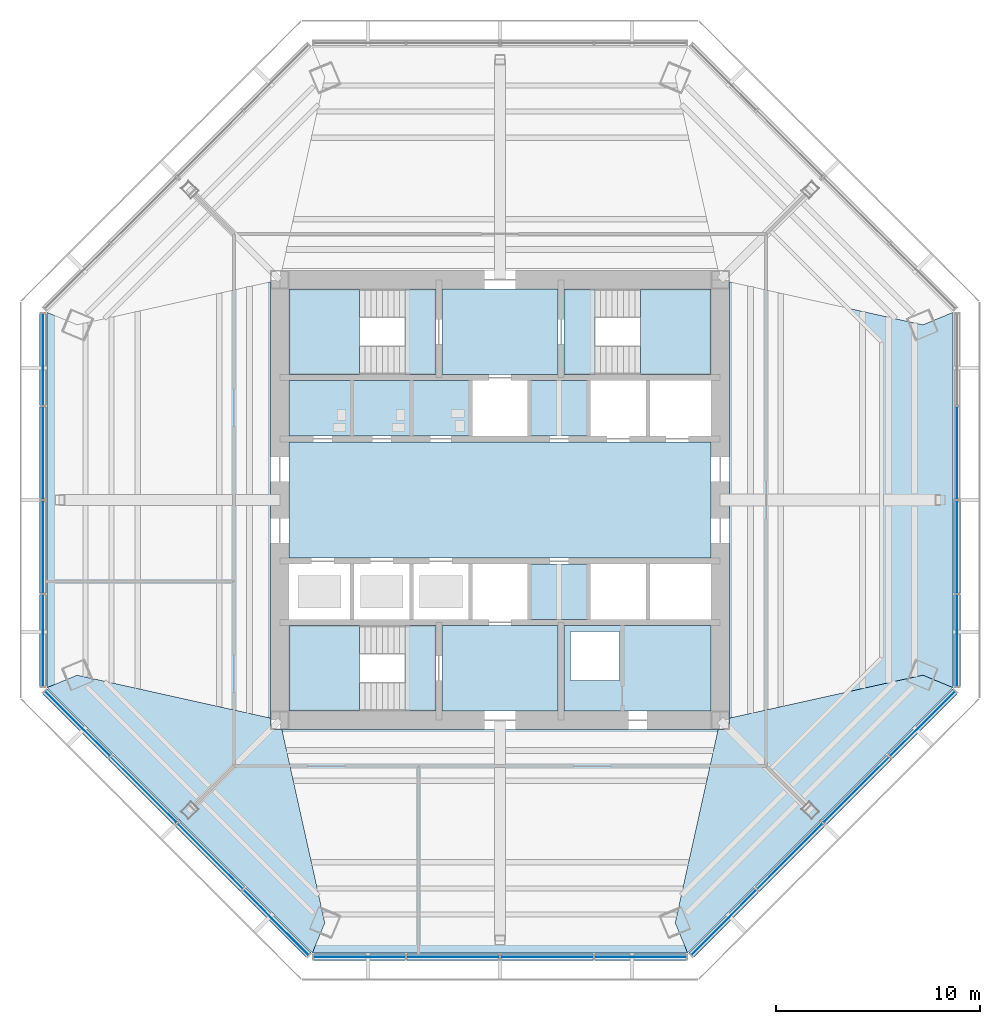
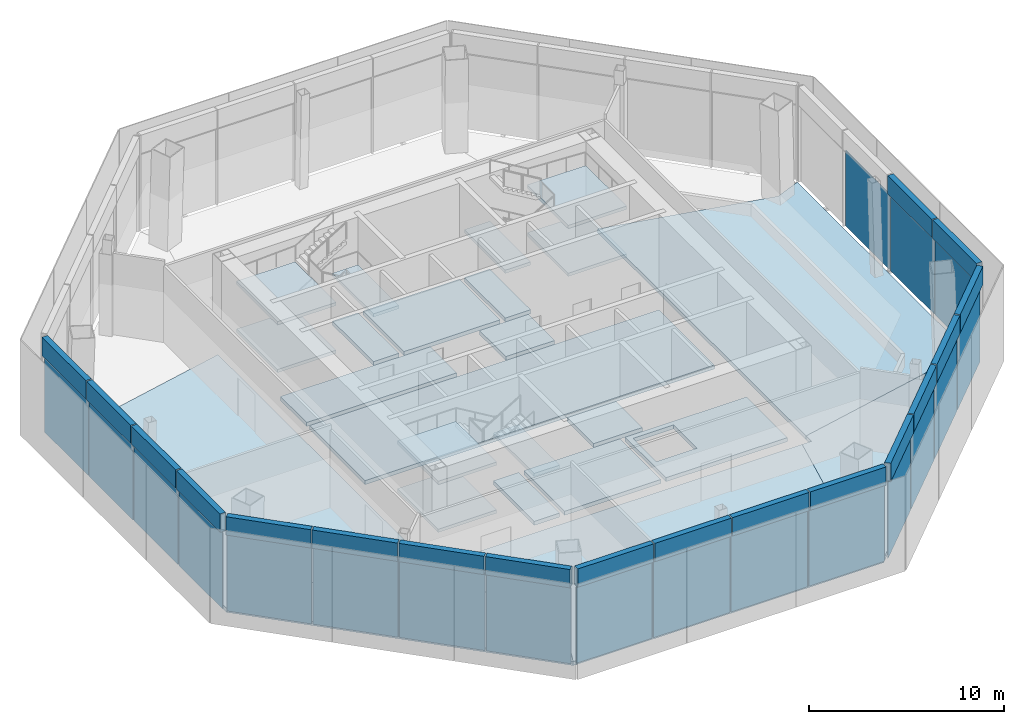
# One storey, part 5 of 13: 37 plates, 24 slabs, 8 elements without a shape of their own.
"""IFC4 building model written with IfcOpenShell, lengths in metres."""

import ifcopenshell
import ifcopenshell.guid

model = None  # the IFC model being written
_history = None  # IfcOwnerHistory: only IFC2X3 demands one
_inside = {}  # id of a spatial element -> (the spatial element, [elements in it])
_under = {}  # id of a project, library or spatial element -> (it, [spatial elements below it])
_declared = {}  # id of a project -> (the project, [libraries it declares])
_typed = {}  # id of a type object -> (the type object, [elements of that type])
_made_of = {}  # id of a material, layer set ... -> (it, [elements and type objects made of it])


def new_model(schema):
    """Start an empty IFC model of exactly this schema.

    Asked for "IFC4X3", IfcOpenShell would pick the latest addendum, in which some entities
    have other attributes; the version numbers below select the first issue.
    IFC2X3 requires an IfcOwnerHistory on every rooted entity: one is made here for all.
    """
    global model, _history
    if schema == "IFC4X3":
        model = ifcopenshell.file(schema_version=(4, 3, 0, 0))
    else:
        model = ifcopenshell.file(schema=schema)
    _inside.clear()
    _under.clear()
    _declared.clear()
    _typed.clear()
    _made_of.clear()
    _history = None
    if model.schema == "IFC2X3":
        org = make("IfcOrganization", Name="unknown")
        user = make(
            "IfcPersonAndOrganization",
            ThePerson=make("IfcPerson", FamilyName="unknown"),
            TheOrganization=org,
        )
        app = make(
            "IfcApplication",
            ApplicationDeveloper=org,
            Version="unknown",
            ApplicationFullName="unknown",
            ApplicationIdentifier="unknown",
        )
        _history = make(
            "IfcOwnerHistory",
            OwningUser=user,
            OwningApplication=app,
            ChangeAction="ADDED",
            CreationDate=0,
        )
    return model


def make(cls, **values):
    """One entity of the class cls with the attributes given. An attribute that is None is left unset."""
    return model.create_entity(
        cls, **{name: value for name, value in values.items() if value is not None}
    )


def rooted(cls, **values):
    """An entity with a GlobalId (a new one), such as an element, a storey or a relation."""
    return make(cls, GlobalId=ifcopenshell.guid.new(), OwnerHistory=_history, **values)


def si_unit(unit_type, name, prefix=None):
    """IfcSIUnit, for example si_unit("LENGTHUNIT", "METRE", prefix="MILLI")."""
    return make("IfcSIUnit", UnitType=unit_type, Prefix=prefix, Name=name)


def assignment(units):
    """IfcUnitAssignment: the units of a project."""
    return None if units is None else make("IfcUnitAssignment", Units=units)


def point(xyz):
    """IfcCartesianPoint."""
    return None if xyz is None else make("IfcCartesianPoint", Coordinates=xyz)


def direction(xyz):
    """IfcDirection."""
    return None if xyz is None else make("IfcDirection", DirectionRatios=xyz)


def frame(location, z_axis=None, x_axis=None):
    """IfcAxis2Placement3D, a coordinate frame: its origin and axes. An axis left out is left unset."""
    return make(
        "IfcAxis2Placement3D",
        Location=point(location),
        Axis=direction(z_axis),
        RefDirection=direction(x_axis),
    )


def frame_2d(location, x_axis=None):
    """IfcAxis2Placement2D, a coordinate frame in the plane: its origin and x axis."""
    return make(
        "IfcAxis2Placement2D", Location=point(location), RefDirection=direction(x_axis)
    )


def origin():
    """The frame at (0, 0, 0) with its axes left unset."""
    return frame((0.0, 0.0, 0.0))


def origin_2d():
    """The frame at (0, 0) in the plane with its x axis left unset."""
    return frame_2d((0.0, 0.0))


def place(relative_to, where):
    """IfcLocalPlacement: puts the frame where relative to a parent placement (None: the world)."""
    return make(
        "IfcLocalPlacement", PlacementRelTo=relative_to, RelativePlacement=where
    )


def context(
    kind, dimensions, precision=None, world=None, true_north=None, identifier=None
):
    """IfcGeometricRepresentationContext, for example the 3D "Model" context."""
    return make(
        "IfcGeometricRepresentationContext",
        ContextIdentifier=identifier,
        ContextType=kind,
        CoordinateSpaceDimension=dimensions,
        Precision=precision,
        WorldCoordinateSystem=world,
        TrueNorth=true_north,
    )


def subcontext(parent, identifier, kind, view, scale=None):
    """IfcGeometricRepresentationSubContext, for example "Body" below "Model"."""
    return make(
        "IfcGeometricRepresentationSubContext",
        ContextIdentifier=identifier,
        ContextType=kind,
        ParentContext=parent,
        TargetScale=scale,
        TargetView=view,
    )


def project(units=None, contexts=None):
    """IfcProject with its units and contexts."""
    return rooted(
        "IfcProject",
        Name="project",
        RepresentationContexts=contexts,
        UnitsInContext=assignment(units),
    )


def spatial(cls, under=None, at=None, **own):
    """A site, building, storey or space (cls), placed at a placement, below another one or the project."""
    s = rooted(cls, ObjectPlacement=at, **own)
    if under is not None:
        _under.setdefault(under.id(), (under, []))[1].append(s)
    return s


def polyline(points):
    """IfcPolyline through the points."""
    return make("IfcPolyline", Points=[point(p) for p in points])


def profile(cls, at=None, kind="AREA", **sizes):
    """A parametric profile (cls). Its sizes go by their IFC names, for example OverallWidth=200.0."""
    return make(cls, ProfileType=kind, Position=at, **sizes)


def rectangle(**sizes):
    """IfcRectangleProfileDef."""
    return profile("IfcRectangleProfileDef", **sizes)


def outline(outer, holes=None, kind="AREA"):
    """IfcArbitraryClosedProfileDef: a profile drawn as a closed curve; with holes, ...WithVoids."""
    if holes is None:
        return make("IfcArbitraryClosedProfileDef", ProfileType=kind, OuterCurve=outer)
    return make(
        "IfcArbitraryProfileDefWithVoids",
        ProfileType=kind,
        OuterCurve=outer,
        InnerCurves=holes,
    )


def extrude(swept, where, along, depth):
    """IfcExtrudedAreaSolid: the profile swept, set in the frame where, extruded along a direction by depth."""
    return make(
        "IfcExtrudedAreaSolid",
        SweptArea=swept,
        Position=where,
        ExtrudedDirection=direction(along),
        Depth=depth,
    )


def shape(context_of_items, identifier, shape_type, items):
    """IfcShapeRepresentation: the items that make up one representation, for example the "Body"."""
    return make(
        "IfcShapeRepresentation",
        ContextOfItems=context_of_items,
        RepresentationIdentifier=identifier,
        RepresentationType=shape_type,
        Items=items,
    )


def source(mapping_origin, context_of_items, identifier, shape_type, items):
    """IfcRepresentationMap: a shape defined once, which mapped items show again and again."""
    return make(
        "IfcRepresentationMap",
        MappingOrigin=mapping_origin,
        MappedRepresentation=shape(context_of_items, identifier, shape_type, items),
    )


def transform(
    local_origin,
    x_axis=None,
    y_axis=None,
    z_axis=None,
    scale=None,
    scale2=None,
    scale3=None,
    uniform=True,
):
    """IfcCartesianTransformationOperator3D, or its non-uniform kind. x_axis, y_axis, z_axis: its Axis1, 2, 3."""
    if uniform:
        return make(
            "IfcCartesianTransformationOperator3D",
            Axis1=direction(x_axis),
            Axis2=direction(y_axis),
            LocalOrigin=point(local_origin),
            Scale=scale,
            Axis3=direction(z_axis),
        )
    return make(
        "IfcCartesianTransformationOperator3DnonUniform",
        Axis1=direction(x_axis),
        Axis2=direction(y_axis),
        LocalOrigin=point(local_origin),
        Scale=scale,
        Axis3=direction(z_axis),
        Scale2=scale2,
        Scale3=scale3,
    )


def mapped(mapping_source, mapping_target):
    """IfcMappedItem: shows the shape of a source again, moved by a transform."""
    return make(
        "IfcMappedItem", MappingSource=mapping_source, MappingTarget=mapping_target
    )


def material(Name=None, Category=None):
    """IfcMaterial."""
    return make("IfcMaterial", Name=Name, Category=Category)


def layer(
    of_material, thickness, ventilated=None, Name=None, Category=None, Priority=None
):
    """IfcMaterialLayer: one layer of a wall or slab, of a material (None: an air gap)."""
    return make(
        "IfcMaterialLayer",
        Material=of_material,
        LayerThickness=thickness,
        IsVentilated=ventilated,
        Name=Name,
        Category=Category,
        Priority=Priority,
    )


def layer_set(layers, Name=None):
    """IfcMaterialLayerSet."""
    return make("IfcMaterialLayerSet", MaterialLayers=layers, LayerSetName=Name)


def made_of(thing, what):
    """Note that an element or type object is made of a material, layer set ...; save() writes the relation."""
    if what is not None:
        _made_of.setdefault(what.id(), (what, []))[1].append(thing)
    return thing


def type_object(cls, material=None, **own):
    """A type object (cls), such as IfcWallType, which elements share."""
    return made_of(rooted(cls, **own), material)


def type_shapes(of_type, sources):
    """Give a type object the sources (RepresentationMaps) that its elements show as mapped items."""
    of_type.RepresentationMaps = sources


def element(
    cls,
    number,
    at=None,
    inside=None,
    cuts=None,
    type_object=None,
    material=None,
    context=None,
    identifier="Body",
    shape_type=None,
    held_by="IfcProductDefinitionShape",
    body=None,
    shapes=None,
    **own,
):
    """One element of the class cls, such as IfcWall. Its Tag is "e" and its number.

    at: its placement. inside: the storey or other place that contains it. cuts: it is an
    opening in that element (IfcRelVoidsElement). A single representation is given by context,
    identifier, shape_type and body (its items); several are given by shapes. held_by: the class
    of the entity that holds the representations. save() writes the other relations.
    """
    e = rooted(cls, Tag="e%d" % number, ObjectPlacement=at, **own)
    if body is not None:
        shapes = [shape(context, identifier, shape_type, body)]
    if shapes is not None:
        e.Representation = make(held_by, Representations=shapes)
    if inside is not None:
        _inside.setdefault(inside.id(), (inside, []))[1].append(e)
    if cuts is not None:
        rooted(
            "IfcRelVoidsElement", RelatingBuildingElement=cuts, RelatedOpeningElement=e
        )
    if type_object is not None:
        _typed.setdefault(type_object.id(), (type_object, []))[1].append(e)
    return made_of(e, material)


def aggregate(whole, parts):
    """IfcRelAggregates: a whole, such as a stair, and the parts it consists of."""
    return rooted("IfcRelAggregates", RelatingObject=whole, RelatedObjects=parts)


def save(model, path):
    """Write the relations noted so far, then the file.

    IfcRelAggregates (storeys below a building ...), IfcRelContainedInSpatialStructure (elements
    in a storey), IfcRelDefinesByType, IfcRelAssociatesMaterial and IfcRelDeclares: one each for
    every whole, place, type object, material and project.
    """
    for whole, parts in _under.values():
        aggregate(whole, parts)
    for where, things in _inside.values():
        rooted(
            "IfcRelContainedInSpatialStructure",
            RelatedElements=things,
            RelatingStructure=where,
        )
    for kind, things in _typed.values():
        rooted("IfcRelDefinesByType", RelatedObjects=things, RelatingType=kind)
    for what, things in _made_of.values():
        rooted("IfcRelAssociatesMaterial", RelatedObjects=things, RelatingMaterial=what)
    for by, libraries in _declared.values():
        rooted("IfcRelDeclares", RelatingContext=by, RelatedDefinitions=libraries)
    model.write(path)


model = new_model("IFC4")

# Units and contexts
model_context = context("Model", 3, precision=1e-05, world=origin(), true_north=direction((0.0, 1.0)))
body_context = subcontext(model_context, "Body", "Model", "MODEL_VIEW")
ifc_project = project(units=[si_unit("LENGTHUNIT", "METRE"), si_unit("AREAUNIT", "SQUARE_METRE"), si_unit("VOLUMEUNIT", "CUBIC_METRE"), si_unit("PLANEANGLEUNIT", "RADIAN"), si_unit("MASSUNIT", "GRAM", prefix="KILO")], contexts=[model_context])

# Site, building, storey
site_placement = place(None, origin())
site = spatial("IfcSite", under=ifc_project, at=site_placement, CompositionType="ELEMENT")
building_placement = place(site_placement, origin())
building = spatial("IfcBuilding", under=site, at=building_placement, Name="Mashrafa Tower", CompositionType="ELEMENT")
storey_placement = place(building_placement, frame((0.0, 0.0, 198.0)))
storey = spatial("IfcBuildingStorey", under=building, at=storey_placement, Name="L45", CompositionType="ELEMENT", Elevation=198.0)

# Slabs
ifc_material_1 = material(Name="Concrete C35/45", Category="concrete")
ifc_layer_1 = layer(ifc_material_1, 0.25)
ifc_layer_set_1 = layer_set([ifc_layer_1], Name="Floor slab 250")
slab_type_1 = type_object("IfcSlabType", Name="Floor slab 250", PredefinedType="FLOOR", material=ifc_layer_set_1)
slab_1_placement = place(storey_placement, frame((0.0, 0.0, -0.25)))
element("IfcSlab", 1, at=slab_1_placement, inside=storey, type_object=slab_type_1, Name="Floor slab L45 east bay", PredefinedType="FLOOR", context=body_context, shape_type="SweptSolid", body=[
    extrude(outline(polyline([(22.213623046875, 9.201171875), (22.213623046875, -9.201171875), (22.213623046875, -9.201171875), (20.742431640625, -8.591796875), (11.25, -10.699951171875), (11.25, 10.699951171875), (20.742431640625, 8.591796875), (22.213623046875, 9.201171875), (22.213623046875, 9.201171875)])), origin(), (0.0, 0.0, 1.0), 0.25),
])
slab_2_placement = place(storey_placement, frame((0.0, 0.0, -0.25)))
element("IfcSlab", 2, at=slab_2_placement, inside=storey, type_object=slab_type_1, Name="Floor slab L45 west bay", PredefinedType="FLOOR", context=body_context, shape_type="SweptSolid", body=[
    extrude(outline(polyline([(-22.213623046875, -9.201171875), (-22.213623046875, 9.201171875), (-22.213623046875, 9.201171875), (-20.742431640625, 8.591796875), (-11.25, 10.699951171875), (-11.25, -10.699951171875), (-20.742431640625, -8.591796875), (-22.213623046875, -9.201171875), (-22.213623046875, -9.201171875)])), origin(), (0.0, 0.0, 1.0), 0.25),
])
slab_3_placement = place(storey_placement, frame((0.0, 0.0, -0.25)))
element("IfcSlab", 3, at=slab_3_placement, inside=storey, type_object=slab_type_1, Name="Floor slab L45 south-west bay", PredefinedType="FLOOR", context=body_context, shape_type="SweptSolid", body=[
    extrude(outline(polyline([(-22.213623046875, -9.201171875), (-20.742431640625, -8.591796875), (-11.25, -10.699951171875), (-11.25, -11.25), (-10.699951171875, -11.25), (-8.591796875, -20.742431640625), (-9.201171875, -22.213623046875), (-22.213623046875, -9.201171875)])), origin(), (0.0, 0.0, 1.0), 0.25),
])
slab_4_placement = place(storey_placement, frame((0.0, 0.0, -0.25)))
element("IfcSlab", 4, at=slab_4_placement, inside=storey, type_object=slab_type_1, Name="Floor slab L45 south bay", PredefinedType="FLOOR", context=body_context, shape_type="SweptSolid", body=[
    extrude(outline(polyline([(-9.201171875, -22.213623046875), (-9.201171875, -22.213623046875), (-8.591796875, -20.742431640625), (-10.699951171875, -11.25), (10.699951171875, -11.25), (8.591796875, -20.742431640625), (9.201171875, -22.213623046875), (9.201171875, -22.213623046875), (-9.201171875, -22.213623046875)])), origin(), (0.0, 0.0, 1.0), 0.25),
])
slab_5_placement = place(storey_placement, frame((0.0, 0.0, -0.25)))
element("IfcSlab", 5, at=slab_5_placement, inside=storey, type_object=slab_type_1, Name="Floor slab L45 south-east bay", PredefinedType="FLOOR", context=body_context, shape_type="SweptSolid", body=[
    extrude(outline(polyline([(9.201171875, -22.213623046875), (8.591796875, -20.742431640625), (10.699951171875, -11.25), (11.25, -11.25), (11.25, -10.699951171875), (20.742431640625, -8.591796875), (22.213623046875, -9.201171875), (9.201171875, -22.213623046875)])), origin(), (0.0, 0.0, 1.0), 0.25),
])
slab_6_placement = place(storey_placement, frame((0.0, 0.0, -0.25)))
element("IfcSlab", 6, at=slab_6_placement, inside=storey, type_object=slab_type_1, Name="Core floor lift hall L45", PredefinedType="FLOOR", context=body_context, shape_type="SweptSolid", body=[
    extrude(outline(polyline([(-10.35009765625, 2.85009765625), (10.35009765625, 2.85009765625), (10.35009765625, -2.85009765625), (-10.35009765625, -2.85009765625), (-10.35009765625, 2.85009765625)])), origin(), (0.0, 0.0, 1.0), 0.25),
])
slab_7_placement = place(storey_placement, frame((0.0, 0.0, -0.25)))
element("IfcSlab", 7, at=slab_7_placement, inside=storey, type_object=slab_type_1, Name="Core floor riser and electrical band L45", PredefinedType="FLOOR", context=body_context, shape_type="SweptSolid", body=[
    extrude(outline(polyline([(10.35009765625, -6.14990234375), (10.35009765625, -10.35009765625), (3.14990234375, -10.35009765625), (3.14990234375, -6.14990234375), (10.35009765625, -6.14990234375)]), holes=[polyline([(3.449951171875, -8.85009765625), (5.85009765625, -8.85009765625), (5.85009765625, -6.449951171875), (3.449951171875, -6.449951171875), (3.449951171875, -8.85009765625)])]), origin(), (0.0, 0.0, 1.0), 0.25),
])
slab_8_placement = place(storey_placement, frame((0.0, 0.0, -0.25)))
element("IfcSlab", 8, at=slab_8_placement, inside=storey, type_object=slab_type_1, Name="Core floor lift cell L45", PredefinedType="FLOOR", context=body_context, shape_type="SweptSolid", body=[
    extrude(outline(polyline([(-1.449951171875, 3.14990234375), (-10.35009765625, 3.14990234375), (-10.35009765625, 5.85009765625), (-1.449951171875, 5.85009765625), (-1.449951171875, 3.14990234375)])), origin(), (0.0, 0.0, 1.0), 0.25),
])
slab_9_placement = place(storey_placement, frame((0.0, 0.0, -0.25)))
element("IfcSlab", 9, at=slab_9_placement, inside=storey, type_object=slab_type_1, Name="Core floor fire-fighting lobby north L45", PredefinedType="FLOOR", context=body_context, shape_type="SweptSolid", body=[
    extrude(outline(polyline([(-2.85009765625, 10.35009765625), (2.85009765625, 10.35009765625), (2.85009765625, 6.14990234375), (-2.85009765625, 6.14990234375), (-2.85009765625, 10.35009765625)])), origin(), (0.0, 0.0, 1.0), 0.25),
])
slab_10_placement = place(storey_placement, frame((0.0, 0.0, -0.25)))
element("IfcSlab", 10, at=slab_10_placement, inside=storey, type_object=slab_type_1, Name="Core floor fire-fighting lobby south L45", PredefinedType="FLOOR", context=body_context, shape_type="SweptSolid", body=[
    extrude(outline(polyline([(2.85009765625, -6.14990234375), (2.85009765625, -10.35009765625), (-2.85009765625, -10.35009765625), (-2.85009765625, -6.14990234375), (2.85009765625, -6.14990234375)])), origin(), (0.0, 0.0, 1.0), 0.25),
])
slab_11_placement = place(storey_placement, frame((0.0, 0.0, -0.25)))
element("IfcSlab", 11, at=slab_11_placement, inside=storey, type_object=slab_type_1, Name="Core floor lift cell L45", PredefinedType="FLOOR", context=body_context, shape_type="SweptSolid", body=[
    extrude(outline(polyline([(4.35009765625, 5.85009765625), (4.35009765625, 3.14990234375), (1.449951171875, 3.14990234375), (1.449951171875, 5.85009765625), (4.35009765625, 5.85009765625)])), origin(), (0.0, 0.0, 1.0), 0.25),
])
slab_12_placement = place(storey_placement, frame((0.0, 0.0, -0.25)))
element("IfcSlab", 12, at=slab_12_placement, inside=storey, type_object=slab_type_1, Name="Core floor lift cell L45", PredefinedType="FLOOR", context=body_context, shape_type="SweptSolid", body=[
    extrude(outline(polyline([(4.35009765625, -3.14990234375), (4.35009765625, -5.85009765625), (1.449951171875, -5.85009765625), (1.449951171875, -3.14990234375), (4.35009765625, -3.14990234375)])), origin(), (0.0, 0.0, 1.0), 0.25),
])

# Stair, slabs
ifc_material_2 = material(Name="Exit stair 1400")
stair_type = type_object("IfcStairType", Name="Exit stair 1400", PredefinedType="HALF_TURN_STAIR", material=ifc_material_2)
stair_1_placement = place(storey_placement, origin())
stair_1 = element("IfcStair", 13, at=stair_1_placement, inside=storey, type_object=stair_type, Name="Stair S1 L45", PredefinedType="HALF_TURN_STAIR")
ifc_material_3 = material(Name="Concrete C32/40", Category="concrete")
ifc_layer_2 = layer(ifc_material_3, 0.199951171875)
ifc_layer_set_2 = layer_set([ifc_layer_2], Name="Stair landing 200")
slab_type_2 = type_object("IfcSlabType", Name="Stair landing 200", PredefinedType="LANDING", material=ifc_layer_set_2)
slab_13_placement = place(storey_placement, frame((0.0, 0.0, 1.300048828125)))
slab_13 = element("IfcSlab", 14, at=slab_13_placement, type_object=slab_type_2, Name="S1 landing 2", PredefinedType="LANDING", context=body_context, shape_type="SweptSolid", body=[
    extrude(outline(polyline([(-10.35009765625, 6.14990234375), (-6.8798828125, 6.14990234375), (-6.8798828125, 10.35009765625), (-10.35009765625, 10.35009765625), (-10.35009765625, 6.14990234375)])), origin(), (0.0, 0.0, 1.0), 0.199951171875),
])
slab_14_placement = place(storey_placement, frame((0.0, 0.0, 2.800048828125)))
slab_14 = element("IfcSlab", 15, at=slab_14_placement, type_object=slab_type_2, Name="S1 landing 3", PredefinedType="LANDING", context=body_context, shape_type="SweptSolid", body=[
    extrude(outline(polyline([(-4.659912109375, 6.14990234375), (-3.14990234375, 6.14990234375), (-3.14990234375, 10.35009765625), (-4.659912109375, 10.35009765625), (-4.659912109375, 6.14990234375)])), origin(), (0.0, 0.0, 1.0), 0.199951171875),
])
slab_15_placement = place(storey_placement, frame((0.0, 0.0, 4.300048828125)))
slab_15 = element("IfcSlab", 16, at=slab_15_placement, type_object=slab_type_2, Name="S1 landing 4", PredefinedType="LANDING", context=body_context, shape_type="SweptSolid", body=[
    extrude(outline(polyline([(-10.35009765625, 6.14990234375), (-6.8798828125, 6.14990234375), (-6.8798828125, 10.35009765625), (-10.35009765625, 10.35009765625), (-10.35009765625, 6.14990234375)])), origin(), (0.0, 0.0, 1.0), 0.199951171875),
])

stair_2_placement = place(storey_placement, origin())
stair_2 = element("IfcStair", 17, at=stair_2_placement, inside=storey, type_object=stair_type, Name="Stair S2 L45", PredefinedType="HALF_TURN_STAIR")
slab_16_placement = place(storey_placement, frame((0.0, 0.0, 1.300048828125)))
slab_16 = element("IfcSlab", 18, at=slab_16_placement, type_object=slab_type_2, Name="S2 landing 2", PredefinedType="LANDING", context=body_context, shape_type="SweptSolid", body=[
    extrude(outline(polyline([(6.8798828125, 6.14990234375), (10.35009765625, 6.14990234375), (10.35009765625, 10.35009765625), (6.8798828125, 10.35009765625), (6.8798828125, 6.14990234375)])), origin(), (0.0, 0.0, 1.0), 0.199951171875),
])
slab_17_placement = place(storey_placement, frame((0.0, 0.0, 2.800048828125)))
slab_17 = element("IfcSlab", 19, at=slab_17_placement, type_object=slab_type_2, Name="S2 landing 3", PredefinedType="LANDING", context=body_context, shape_type="SweptSolid", body=[
    extrude(outline(polyline([(3.14990234375, 6.14990234375), (4.659912109375, 6.14990234375), (4.659912109375, 10.35009765625), (3.14990234375, 10.35009765625), (3.14990234375, 6.14990234375)])), origin(), (0.0, 0.0, 1.0), 0.199951171875),
])
slab_18_placement = place(storey_placement, frame((0.0, 0.0, 4.300048828125)))
slab_18 = element("IfcSlab", 20, at=slab_18_placement, type_object=slab_type_2, Name="S2 landing 4", PredefinedType="LANDING", context=body_context, shape_type="SweptSolid", body=[
    extrude(outline(polyline([(6.8798828125, 6.14990234375), (10.35009765625, 6.14990234375), (10.35009765625, 10.35009765625), (6.8798828125, 10.35009765625), (6.8798828125, 6.14990234375)])), origin(), (0.0, 0.0, 1.0), 0.199951171875),
])

stair_3_placement = place(storey_placement, origin())
stair_3 = element("IfcStair", 21, at=stair_3_placement, inside=storey, type_object=stair_type, Name="Stair S3 L45", PredefinedType="HALF_TURN_STAIR")
slab_19_placement = place(storey_placement, frame((0.0, 0.0, 1.300048828125)))
slab_19 = element("IfcSlab", 22, at=slab_19_placement, type_object=slab_type_2, Name="S3 landing 2", PredefinedType="LANDING", context=body_context, shape_type="SweptSolid", body=[
    extrude(outline(polyline([(-10.35009765625, -10.35009765625), (-6.8798828125, -10.35009765625), (-6.8798828125, -6.14990234375), (-10.35009765625, -6.14990234375), (-10.35009765625, -10.35009765625)])), origin(), (0.0, 0.0, 1.0), 0.199951171875),
])
slab_20_placement = place(storey_placement, frame((0.0, 0.0, 2.800048828125)))
slab_20 = element("IfcSlab", 23, at=slab_20_placement, type_object=slab_type_2, Name="S3 landing 3", PredefinedType="LANDING", context=body_context, shape_type="SweptSolid", body=[
    extrude(outline(polyline([(-4.659912109375, -10.35009765625), (-3.14990234375, -10.35009765625), (-3.14990234375, -6.14990234375), (-4.659912109375, -6.14990234375), (-4.659912109375, -10.35009765625)])), origin(), (0.0, 0.0, 1.0), 0.199951171875),
])
slab_21_placement = place(storey_placement, frame((0.0, 0.0, 4.300048828125)))
slab_21 = element("IfcSlab", 24, at=slab_21_placement, type_object=slab_type_2, Name="S3 landing 4", PredefinedType="LANDING", context=body_context, shape_type="SweptSolid", body=[
    extrude(outline(polyline([(-10.35009765625, -10.35009765625), (-6.8798828125, -10.35009765625), (-6.8798828125, -6.14990234375), (-10.35009765625, -6.14990234375), (-10.35009765625, -10.35009765625)])), origin(), (0.0, 0.0, 1.0), 0.199951171875),
])

# Slab
ifc_material_4 = material(Name="Concrete C32/40", Category="concrete")
ifc_layer_3 = layer(ifc_material_4, 0.25)
ifc_layer_set_3 = layer_set([ifc_layer_3], Name="Stair landing 250")
slab_type_3 = type_object("IfcSlabType", Name="Stair landing 250", PredefinedType="LANDING", material=ifc_layer_set_3)
slab_22_placement = place(storey_placement, frame((0.0, 0.0, -0.25)))
slab_22 = element("IfcSlab", 25, at=slab_22_placement, type_object=slab_type_3, Name="S1 landing 1", PredefinedType="LANDING", context=body_context, shape_type="SweptSolid", body=[
    extrude(outline(polyline([(-4.659912109375, 6.14990234375), (-3.14990234375, 6.14990234375), (-3.14990234375, 10.35009765625), (-4.659912109375, 10.35009765625), (-4.659912109375, 6.14990234375)])), origin(), (0.0, 0.0, 1.0), 0.25),
])

aggregate(stair_1, [slab_22, slab_13, slab_14, slab_15])

slab_23_placement = place(storey_placement, frame((0.0, 0.0, -0.25)))
slab_23 = element("IfcSlab", 26, at=slab_23_placement, type_object=slab_type_3, Name="S2 landing 1", PredefinedType="LANDING", context=body_context, shape_type="SweptSolid", body=[
    extrude(outline(polyline([(3.14990234375, 6.14990234375), (4.659912109375, 6.14990234375), (4.659912109375, 10.35009765625), (3.14990234375, 10.35009765625), (3.14990234375, 6.14990234375)])), origin(), (0.0, 0.0, 1.0), 0.25),
])

aggregate(stair_2, [slab_23, slab_16, slab_17, slab_18])

slab_24_placement = place(storey_placement, frame((0.0, 0.0, -0.25)))
slab_24 = element("IfcSlab", 27, at=slab_24_placement, type_object=slab_type_3, Name="S3 landing 1", PredefinedType="LANDING", context=body_context, shape_type="SweptSolid", body=[
    extrude(outline(polyline([(-4.659912109375, -10.35009765625), (-3.14990234375, -10.35009765625), (-3.14990234375, -6.14990234375), (-4.659912109375, -6.14990234375), (-4.659912109375, -10.35009765625)])), origin(), (0.0, 0.0, 1.0), 0.25),
])

aggregate(stair_3, [slab_24, slab_19, slab_20, slab_21])

# Curtain wall, plate
ifc_material_5 = material(Name="Unitised aluminium curtain wall", Category="aluminium")
curtain_wall_type = type_object("IfcCurtainWallType", Name="Sky garden curtain wall CW-E 300 deep", PredefinedType="NOTDEFINED", material=ifc_material_5)
curtain_wall_1_placement = place(storey_placement, origin())
curtain_wall_1 = element("IfcCurtainWall", 28, at=curtain_wall_1_placement, inside=storey, type_object=curtain_wall_type, Name="Sky garden curtain wall L45 east", PredefinedType="NOTDEFINED")
ifc_material_6 = material(Name="Laminated insulated double glazing", Category="glass")
ifc_layer_4 = layer(ifc_material_6, 0.031982421875)
ifc_layer_set_4 = layer_set([ifc_layer_4], Name="Vision panel CW-E 32")
plate_type_1 = type_object("IfcPlateType", Name="Vision panel CW-E 32", PredefinedType="CURTAIN_PANEL", material=ifc_layer_set_4)
shared_shape_1 = source(origin(), body_context, "Body", "SweptSolid", [
    extrude(rectangle(XDim=4.493408203125, YDim=0.031982421875, at=origin_2d()), origin(), (0.0, 0.0, 1.0), 4.75),
])
plate_1_placement = place(storey_placement, frame((22.41357421875, -6.89013671875, 0.0), z_axis=(0.0, 0.0, 1.0), x_axis=(0.0, 1.0, 0.0)))
plate_1 = element("IfcPlate", 29, at=plate_1_placement, type_object=plate_type_1, Name="CW-E vision panel 1", PredefinedType="CURTAIN_PANEL", context=body_context, shape_type="MappedRepresentation", body=[
    mapped(shared_shape_1, transform((0.0, 0.0, 0.0))),
])

# Curtain wall, plates
curtain_wall_2_placement = place(storey_placement, origin())
curtain_wall_2 = element("IfcCurtainWall", 30, at=curtain_wall_2_placement, inside=storey, type_object=curtain_wall_type, Name="Sky garden curtain wall L45 west", PredefinedType="NOTDEFINED")
plate_2_placement = place(storey_placement, frame((-22.41357421875, 6.89013671875, 0.0), z_axis=(0.0, 0.0, 1.0), x_axis=(0.0, -1.0, 0.0)))
plate_2 = element("IfcPlate", 31, at=plate_2_placement, type_object=plate_type_1, Name="CW-E vision panel 1", PredefinedType="CURTAIN_PANEL", context=body_context, shape_type="MappedRepresentation", body=[
    mapped(shared_shape_1, transform((0.0, 0.0, 0.0))),
])
plate_3_placement = place(storey_placement, frame((-22.41357421875, -6.89013671875, 0.0), z_axis=(0.0, 0.0, 1.0), x_axis=(0.0, -1.0, 0.0)))
plate_3 = element("IfcPlate", 32, at=plate_3_placement, type_object=plate_type_1, Name="CW-E vision panel 4", PredefinedType="CURTAIN_PANEL", context=body_context, shape_type="MappedRepresentation", body=[
    mapped(shared_shape_1, transform((0.0, 0.0, 0.0))),
])

curtain_wall_3_placement = place(storey_placement, origin())
curtain_wall_3 = element("IfcCurtainWall", 33, at=curtain_wall_3_placement, inside=storey, type_object=curtain_wall_type, Name="Sky garden curtain wall L45 south-west", PredefinedType="NOTDEFINED")
plate_4_placement = place(storey_placement, frame((-20.720947265625, -10.976806640625, 0.0), z_axis=(0.0, 0.0, 1.0), x_axis=(0.707106781187, -0.707106781187, 0.0)))
plate_4 = element("IfcPlate", 34, at=plate_4_placement, type_object=plate_type_1, Name="CW-E vision panel 1", PredefinedType="CURTAIN_PANEL", context=body_context, shape_type="MappedRepresentation", body=[
    mapped(shared_shape_1, transform((0.0, 0.0, 0.0))),
])
plate_5_placement = place(storey_placement, frame((-10.976806640625, -20.720947265625, 0.0), z_axis=(0.0, 0.0, 1.0), x_axis=(0.707106781187, -0.707106781187, 0.0)))
plate_5 = element("IfcPlate", 35, at=plate_5_placement, type_object=plate_type_1, Name="CW-E vision panel 4", PredefinedType="CURTAIN_PANEL", context=body_context, shape_type="MappedRepresentation", body=[
    mapped(shared_shape_1, transform((0.0, 0.0, 0.0))),
])

curtain_wall_4_placement = place(storey_placement, origin())
curtain_wall_4 = element("IfcCurtainWall", 36, at=curtain_wall_4_placement, inside=storey, type_object=curtain_wall_type, Name="Sky garden curtain wall L45 south", PredefinedType="NOTDEFINED")
plate_6_placement = place(storey_placement, frame((-6.89013671875, -22.41357421875, 0.0), z_axis=(0.0, 0.0, 1.0), x_axis=(1.0, 0.0, 0.0)))
plate_6 = element("IfcPlate", 37, at=plate_6_placement, type_object=plate_type_1, Name="CW-E vision panel 1", PredefinedType="CURTAIN_PANEL", context=body_context, shape_type="MappedRepresentation", body=[
    mapped(shared_shape_1, transform((0.0, 0.0, 0.0))),
])
plate_7_placement = place(storey_placement, frame((6.89013671875, -22.41357421875, 0.0), z_axis=(0.0, 0.0, 1.0), x_axis=(1.0, 0.0, 0.0)))
plate_7 = element("IfcPlate", 38, at=plate_7_placement, type_object=plate_type_1, Name="CW-E vision panel 4", PredefinedType="CURTAIN_PANEL", context=body_context, shape_type="MappedRepresentation", body=[
    mapped(shared_shape_1, transform((0.0, 0.0, 0.0))),
])

curtain_wall_5_placement = place(storey_placement, origin())
curtain_wall_5 = element("IfcCurtainWall", 39, at=curtain_wall_5_placement, inside=storey, type_object=curtain_wall_type, Name="Sky garden curtain wall L45 south-east", PredefinedType="NOTDEFINED")
plate_8_placement = place(storey_placement, frame((10.976806640625, -20.720947265625, 0.0), z_axis=(0.0, 0.0, 1.0), x_axis=(0.707106781187, 0.707106781187, 0.0)))
plate_8 = element("IfcPlate", 40, at=plate_8_placement, type_object=plate_type_1, Name="CW-E vision panel 1", PredefinedType="CURTAIN_PANEL", context=body_context, shape_type="MappedRepresentation", body=[
    mapped(shared_shape_1, transform((0.0, 0.0, 0.0))),
])
plate_9_placement = place(storey_placement, frame((20.720947265625, -10.976806640625, 0.0), z_axis=(0.0, 0.0, 1.0), x_axis=(0.707106781187, 0.707106781187, 0.0)))
plate_9 = element("IfcPlate", 41, at=plate_9_placement, type_object=plate_type_1, Name="CW-E vision panel 4", PredefinedType="CURTAIN_PANEL", context=body_context, shape_type="MappedRepresentation", body=[
    mapped(shared_shape_1, transform((0.0, 0.0, 0.0))),
])

# Plate
ifc_material_7 = material(Name="Insulated aluminium spandrel panel", Category="aluminium")
ifc_layer_5 = layer(ifc_material_7, 0.330078125)
ifc_layer_set_5 = layer_set([ifc_layer_5], Name="Spandrel panel CW-E 330")
plate_type_2 = type_object("IfcPlateType", Name="Spandrel panel CW-E 330", PredefinedType="CURTAIN_PANEL", material=ifc_layer_set_5)
shared_shape_2 = source(origin(), body_context, "Body", "SweptSolid", [
    extrude(rectangle(XDim=4.493408203125, YDim=0.330078125, at=origin_2d()), origin(), (0.0, 0.0, 1.0), 1.14990234375),
])
plate_10_placement = place(storey_placement, frame((22.41357421875, -6.89013671875, 4.85009765625), z_axis=(0.0, 0.0, 1.0), x_axis=(0.0, 1.0, 0.0)))
plate_10 = element("IfcPlate", 42, at=plate_10_placement, type_object=plate_type_2, Name="CW-E spandrel panel 1", PredefinedType="CURTAIN_PANEL", context=body_context, shape_type="MappedRepresentation", body=[
    mapped(shared_shape_2, transform((0.0, 0.0, 0.0))),
])

plate_11_placement = place(storey_placement, frame((-22.41357421875, 6.89013671875, 4.85009765625), z_axis=(0.0, 0.0, 1.0), x_axis=(0.0, -1.0, 0.0)))
plate_11 = element("IfcPlate", 43, at=plate_11_placement, type_object=plate_type_2, Name="CW-E spandrel panel 1", PredefinedType="CURTAIN_PANEL", context=body_context, shape_type="MappedRepresentation", body=[
    mapped(shared_shape_2, transform((0.0, 0.0, 0.0))),
])

plate_12_placement = place(storey_placement, frame((-22.41357421875, -6.89013671875, 4.85009765625), z_axis=(0.0, 0.0, 1.0), x_axis=(0.0, -1.0, 0.0)))
plate_12 = element("IfcPlate", 44, at=plate_12_placement, type_object=plate_type_2, Name="CW-E spandrel panel 4", PredefinedType="CURTAIN_PANEL", context=body_context, shape_type="MappedRepresentation", body=[
    mapped(shared_shape_2, transform((0.0, 0.0, 0.0))),
])

plate_13_placement = place(storey_placement, frame((-20.720947265625, -10.976806640625, 4.85009765625), z_axis=(0.0, 0.0, 1.0), x_axis=(0.707106781187, -0.707106781187, 0.0)))
plate_13 = element("IfcPlate", 45, at=plate_13_placement, type_object=plate_type_2, Name="CW-E spandrel panel 1", PredefinedType="CURTAIN_PANEL", context=body_context, shape_type="MappedRepresentation", body=[
    mapped(shared_shape_2, transform((0.0, 0.0, 0.0))),
])

plate_14_placement = place(storey_placement, frame((-10.976806640625, -20.720947265625, 4.85009765625), z_axis=(0.0, 0.0, 1.0), x_axis=(0.707106781187, -0.707106781187, 0.0)))
plate_14 = element("IfcPlate", 46, at=plate_14_placement, type_object=plate_type_2, Name="CW-E spandrel panel 4", PredefinedType="CURTAIN_PANEL", context=body_context, shape_type="MappedRepresentation", body=[
    mapped(shared_shape_2, transform((0.0, 0.0, 0.0))),
])

plate_15_placement = place(storey_placement, frame((-6.89013671875, -22.41357421875, 4.85009765625), z_axis=(0.0, 0.0, 1.0), x_axis=(1.0, 0.0, 0.0)))
plate_15 = element("IfcPlate", 47, at=plate_15_placement, type_object=plate_type_2, Name="CW-E spandrel panel 1", PredefinedType="CURTAIN_PANEL", context=body_context, shape_type="MappedRepresentation", body=[
    mapped(shared_shape_2, transform((0.0, 0.0, 0.0))),
])

plate_16_placement = place(storey_placement, frame((6.89013671875, -22.41357421875, 4.85009765625), z_axis=(0.0, 0.0, 1.0), x_axis=(1.0, 0.0, 0.0)))
plate_16 = element("IfcPlate", 48, at=plate_16_placement, type_object=plate_type_2, Name="CW-E spandrel panel 4", PredefinedType="CURTAIN_PANEL", context=body_context, shape_type="MappedRepresentation", body=[
    mapped(shared_shape_2, transform((0.0, 0.0, 0.0))),
])

plate_17_placement = place(storey_placement, frame((10.976806640625, -20.720947265625, 4.85009765625), z_axis=(0.0, 0.0, 1.0), x_axis=(0.707106781187, 0.707106781187, 0.0)))
plate_17 = element("IfcPlate", 49, at=plate_17_placement, type_object=plate_type_2, Name="CW-E spandrel panel 1", PredefinedType="CURTAIN_PANEL", context=body_context, shape_type="MappedRepresentation", body=[
    mapped(shared_shape_2, transform((0.0, 0.0, 0.0))),
])

plate_18_placement = place(storey_placement, frame((20.720947265625, -10.976806640625, 4.85009765625), z_axis=(0.0, 0.0, 1.0), x_axis=(0.707106781187, 0.707106781187, 0.0)))
plate_18 = element("IfcPlate", 50, at=plate_18_placement, type_object=plate_type_2, Name="CW-E spandrel panel 4", PredefinedType="CURTAIN_PANEL", context=body_context, shape_type="MappedRepresentation", body=[
    mapped(shared_shape_2, transform((0.0, 0.0, 0.0))),
])

shared_shape_3 = source(origin(), body_context, "Body", "SweptSolid", [
    extrude(rectangle(XDim=4.531005859375, YDim=0.031982421875, at=origin_2d()), origin(), (0.0, 0.0, 1.0), 4.75),
])
type_shapes(plate_type_1, [shared_shape_1, shared_shape_3])
plate_19_placement = place(storey_placement, frame((22.41357421875, -2.302978515625, 0.0), z_axis=(0.0, 0.0, 1.0), x_axis=(0.0, 1.0, 0.0)))
plate_19 = element("IfcPlate", 51, at=plate_19_placement, type_object=plate_type_1, Name="CW-E vision panel 2", PredefinedType="CURTAIN_PANEL", context=body_context, shape_type="MappedRepresentation", body=[
    mapped(shared_shape_3, transform((0.0, 0.0, 0.0))),
])

plate_20_placement = place(storey_placement, frame((22.41357421875, 2.302978515625, 0.0), z_axis=(0.0, 0.0, 1.0), x_axis=(0.0, 1.0, 0.0)))
plate_20 = element("IfcPlate", 52, at=plate_20_placement, type_object=plate_type_1, Name="CW-E vision panel 3", PredefinedType="CURTAIN_PANEL", context=body_context, shape_type="MappedRepresentation", body=[
    mapped(shared_shape_3, transform((0.0, 0.0, 0.0))),
])

plate_21_placement = place(storey_placement, frame((-22.41357421875, 2.302978515625, 0.0), z_axis=(0.0, 0.0, 1.0), x_axis=(0.0, -1.0, 0.0)))
plate_21 = element("IfcPlate", 53, at=plate_21_placement, type_object=plate_type_1, Name="CW-E vision panel 2", PredefinedType="CURTAIN_PANEL", context=body_context, shape_type="MappedRepresentation", body=[
    mapped(shared_shape_3, transform((0.0, 0.0, 0.0))),
])

plate_22_placement = place(storey_placement, frame((-22.41357421875, -2.302978515625, 0.0), z_axis=(0.0, 0.0, 1.0), x_axis=(0.0, -1.0, 0.0)))
plate_22 = element("IfcPlate", 54, at=plate_22_placement, type_object=plate_type_1, Name="CW-E vision panel 3", PredefinedType="CURTAIN_PANEL", context=body_context, shape_type="MappedRepresentation", body=[
    mapped(shared_shape_3, transform((0.0, 0.0, 0.0))),
])

plate_23_placement = place(storey_placement, frame((-17.477294921875, -14.220458984375, 0.0), z_axis=(0.0, 0.0, 1.0), x_axis=(0.707106781187, -0.707106781187, 0.0)))
plate_23 = element("IfcPlate", 55, at=plate_23_placement, type_object=plate_type_1, Name="CW-E vision panel 2", PredefinedType="CURTAIN_PANEL", context=body_context, shape_type="MappedRepresentation", body=[
    mapped(shared_shape_3, transform((0.0, 0.0, 0.0))),
])

plate_24_placement = place(storey_placement, frame((-14.220458984375, -17.477294921875, 0.0), z_axis=(0.0, 0.0, 1.0), x_axis=(0.707106781187, -0.707106781187, 0.0)))
plate_24 = element("IfcPlate", 56, at=plate_24_placement, type_object=plate_type_1, Name="CW-E vision panel 3", PredefinedType="CURTAIN_PANEL", context=body_context, shape_type="MappedRepresentation", body=[
    mapped(shared_shape_3, transform((0.0, 0.0, 0.0))),
])

plate_25_placement = place(storey_placement, frame((-2.302978515625, -22.41357421875, 0.0), z_axis=(0.0, 0.0, 1.0), x_axis=(1.0, 0.0, 0.0)))
plate_25 = element("IfcPlate", 57, at=plate_25_placement, type_object=plate_type_1, Name="CW-E vision panel 2", PredefinedType="CURTAIN_PANEL", context=body_context, shape_type="MappedRepresentation", body=[
    mapped(shared_shape_3, transform((0.0, 0.0, 0.0))),
])

plate_26_placement = place(storey_placement, frame((2.302978515625, -22.41357421875, 0.0), z_axis=(0.0, 0.0, 1.0), x_axis=(1.0, 0.0, 0.0)))
plate_26 = element("IfcPlate", 58, at=plate_26_placement, type_object=plate_type_1, Name="CW-E vision panel 3", PredefinedType="CURTAIN_PANEL", context=body_context, shape_type="MappedRepresentation", body=[
    mapped(shared_shape_3, transform((0.0, 0.0, 0.0))),
])

plate_27_placement = place(storey_placement, frame((14.220458984375, -17.477294921875, 0.0), z_axis=(0.0, 0.0, 1.0), x_axis=(0.707106781187, 0.707106781187, 0.0)))
plate_27 = element("IfcPlate", 59, at=plate_27_placement, type_object=plate_type_1, Name="CW-E vision panel 2", PredefinedType="CURTAIN_PANEL", context=body_context, shape_type="MappedRepresentation", body=[
    mapped(shared_shape_3, transform((0.0, 0.0, 0.0))),
])

plate_28_placement = place(storey_placement, frame((17.477294921875, -14.220458984375, 0.0), z_axis=(0.0, 0.0, 1.0), x_axis=(0.707106781187, 0.707106781187, 0.0)))
plate_28 = element("IfcPlate", 60, at=plate_28_placement, type_object=plate_type_1, Name="CW-E vision panel 3", PredefinedType="CURTAIN_PANEL", context=body_context, shape_type="MappedRepresentation", body=[
    mapped(shared_shape_3, transform((0.0, 0.0, 0.0))),
])

shared_shape_4 = source(origin(), body_context, "Body", "SweptSolid", [
    extrude(rectangle(XDim=4.531005859375, YDim=0.330078125, at=origin_2d()), origin(), (0.0, 0.0, 1.0), 1.14990234375),
])
type_shapes(plate_type_2, [shared_shape_2, shared_shape_4])
plate_29_placement = place(storey_placement, frame((22.41357421875, -2.302978515625, 4.85009765625), z_axis=(0.0, 0.0, 1.0), x_axis=(0.0, 1.0, 0.0)))
plate_29 = element("IfcPlate", 61, at=plate_29_placement, type_object=plate_type_2, Name="CW-E spandrel panel 2", PredefinedType="CURTAIN_PANEL", context=body_context, shape_type="MappedRepresentation", body=[
    mapped(shared_shape_4, transform((0.0, 0.0, 0.0))),
])

aggregate(curtain_wall_1, [plate_1, plate_10, plate_19, plate_29, plate_20])

plate_30_placement = place(storey_placement, frame((-22.41357421875, 2.302978515625, 4.85009765625), z_axis=(0.0, 0.0, 1.0), x_axis=(0.0, -1.0, 0.0)))
plate_30 = element("IfcPlate", 62, at=plate_30_placement, type_object=plate_type_2, Name="CW-E spandrel panel 2", PredefinedType="CURTAIN_PANEL", context=body_context, shape_type="MappedRepresentation", body=[
    mapped(shared_shape_4, transform((0.0, 0.0, 0.0))),
])

plate_31_placement = place(storey_placement, frame((-22.41357421875, -2.302978515625, 4.85009765625), z_axis=(0.0, 0.0, 1.0), x_axis=(0.0, -1.0, 0.0)))
plate_31 = element("IfcPlate", 63, at=plate_31_placement, type_object=plate_type_2, Name="CW-E spandrel panel 3", PredefinedType="CURTAIN_PANEL", context=body_context, shape_type="MappedRepresentation", body=[
    mapped(shared_shape_4, transform((0.0, 0.0, 0.0))),
])

aggregate(curtain_wall_2, [plate_2, plate_11, plate_21, plate_30, plate_22, plate_31, plate_3, plate_12])

plate_32_placement = place(storey_placement, frame((-17.477294921875, -14.220458984375, 4.85009765625), z_axis=(0.0, 0.0, 1.0), x_axis=(0.707106781187, -0.707106781187, 0.0)))
plate_32 = element("IfcPlate", 64, at=plate_32_placement, type_object=plate_type_2, Name="CW-E spandrel panel 2", PredefinedType="CURTAIN_PANEL", context=body_context, shape_type="MappedRepresentation", body=[
    mapped(shared_shape_4, transform((0.0, 0.0, 0.0))),
])

plate_33_placement = place(storey_placement, frame((-14.220458984375, -17.477294921875, 4.85009765625), z_axis=(0.0, 0.0, 1.0), x_axis=(0.707106781187, -0.707106781187, 0.0)))
plate_33 = element("IfcPlate", 65, at=plate_33_placement, type_object=plate_type_2, Name="CW-E spandrel panel 3", PredefinedType="CURTAIN_PANEL", context=body_context, shape_type="MappedRepresentation", body=[
    mapped(shared_shape_4, transform((0.0, 0.0, 0.0))),
])

aggregate(curtain_wall_3, [plate_4, plate_13, plate_23, plate_32, plate_24, plate_33, plate_5, plate_14])

plate_34_placement = place(storey_placement, frame((-2.302978515625, -22.41357421875, 4.85009765625), z_axis=(0.0, 0.0, 1.0), x_axis=(1.0, 0.0, 0.0)))
plate_34 = element("IfcPlate", 66, at=plate_34_placement, type_object=plate_type_2, Name="CW-E spandrel panel 2", PredefinedType="CURTAIN_PANEL", context=body_context, shape_type="MappedRepresentation", body=[
    mapped(shared_shape_4, transform((0.0, 0.0, 0.0))),
])

plate_35_placement = place(storey_placement, frame((2.302978515625, -22.41357421875, 4.85009765625), z_axis=(0.0, 0.0, 1.0), x_axis=(1.0, 0.0, 0.0)))
plate_35 = element("IfcPlate", 67, at=plate_35_placement, type_object=plate_type_2, Name="CW-E spandrel panel 3", PredefinedType="CURTAIN_PANEL", context=body_context, shape_type="MappedRepresentation", body=[
    mapped(shared_shape_4, transform((0.0, 0.0, 0.0))),
])

aggregate(curtain_wall_4, [plate_6, plate_15, plate_25, plate_34, plate_26, plate_35, plate_7, plate_16])

plate_36_placement = place(storey_placement, frame((14.220458984375, -17.477294921875, 4.85009765625), z_axis=(0.0, 0.0, 1.0), x_axis=(0.707106781187, 0.707106781187, 0.0)))
plate_36 = element("IfcPlate", 68, at=plate_36_placement, type_object=plate_type_2, Name="CW-E spandrel panel 2", PredefinedType="CURTAIN_PANEL", context=body_context, shape_type="MappedRepresentation", body=[
    mapped(shared_shape_4, transform((0.0, 0.0, 0.0))),
])

plate_37_placement = place(storey_placement, frame((17.477294921875, -14.220458984375, 4.85009765625), z_axis=(0.0, 0.0, 1.0), x_axis=(0.707106781187, 0.707106781187, 0.0)))
plate_37 = element("IfcPlate", 69, at=plate_37_placement, type_object=plate_type_2, Name="CW-E spandrel panel 3", PredefinedType="CURTAIN_PANEL", context=body_context, shape_type="MappedRepresentation", body=[
    mapped(shared_shape_4, transform((0.0, 0.0, 0.0))),
])

aggregate(curtain_wall_5, [plate_8, plate_17, plate_27, plate_36, plate_28, plate_37, plate_9, plate_18])

save(model, "model.ifc")
